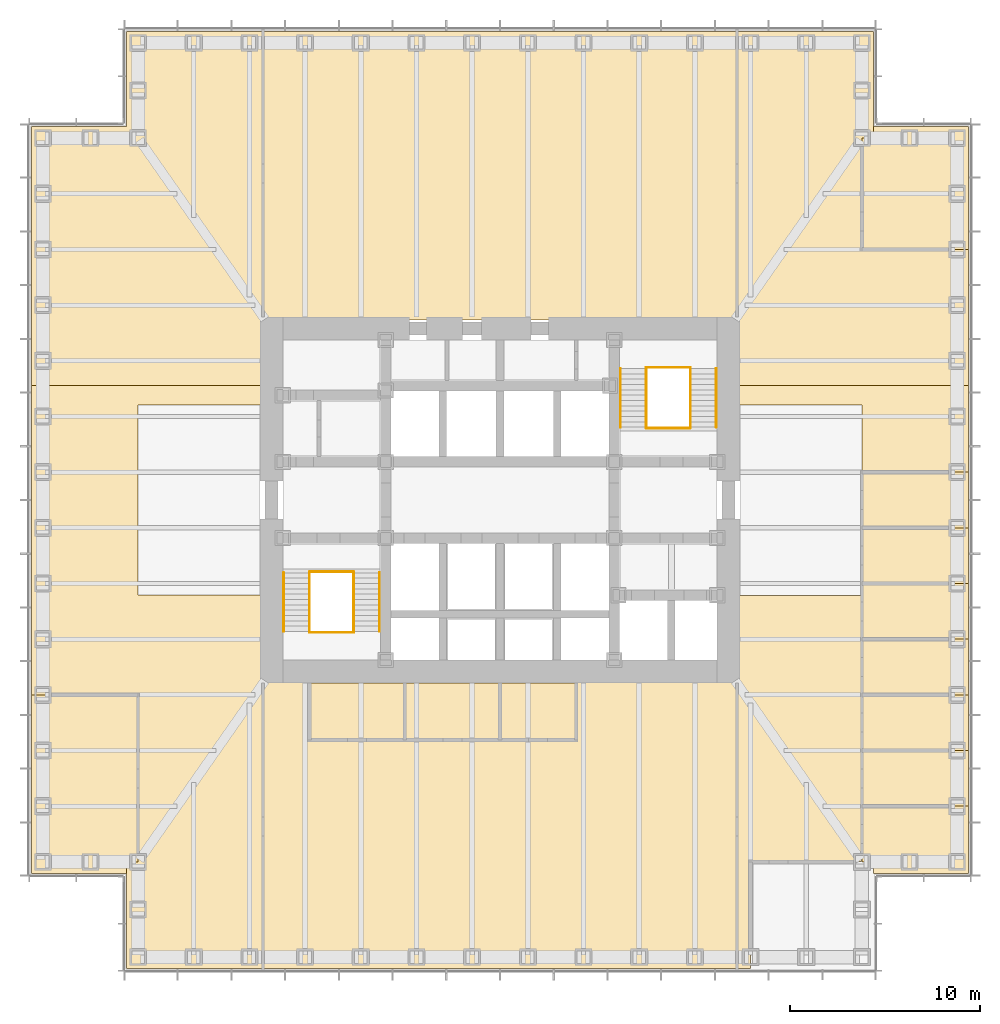
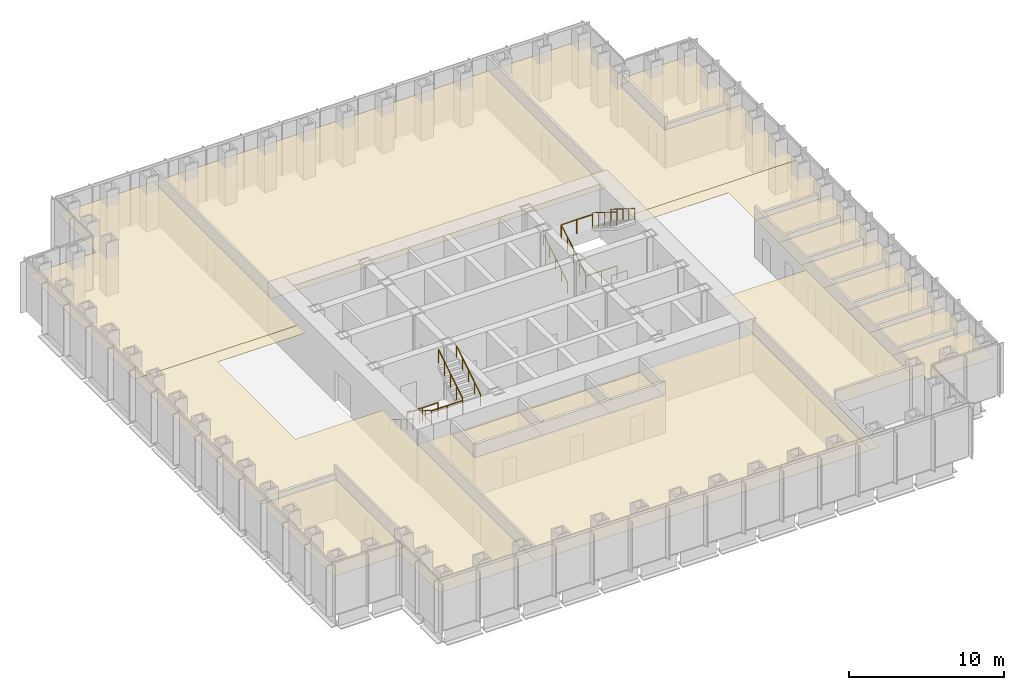
# One storey, part 16 of 16: 19 coverings, 12 railings.
"""IFC4 building model written with IfcOpenShell, lengths in metres."""

from ifc_helpers import new_model, si_unit, direction, frame, origin, origin_2d, place, context, subcontext, project, spatial, polyline, circle, outline, extrude, material, layer, layer_set, type_object, element, save


model = new_model("IFC4")

# Units and contexts
model_context = context("Model", 3, precision=1e-05, world=origin(), true_north=direction((0.0, 1.0)))
body_context = subcontext(model_context, "Body", "Model", "MODEL_VIEW")
ifc_project = project(units=[si_unit("LENGTHUNIT", "METRE"), si_unit("AREAUNIT", "SQUARE_METRE"), si_unit("VOLUMEUNIT", "CUBIC_METRE"), si_unit("PLANEANGLEUNIT", "RADIAN"), si_unit("MASSUNIT", "GRAM", prefix="KILO")], contexts=[model_context])

# Site, building, storey
site_placement = place(None, origin())
site = spatial("IfcSite", under=ifc_project, at=site_placement, CompositionType="ELEMENT")
building_placement = place(site_placement, origin())
building = spatial("IfcBuilding", under=site, at=building_placement, Name="Daluyong Arena Tower", CompositionType="ELEMENT")
storey_placement = place(building_placement, frame((0.0, 0.0, 76.89990234375)))
storey = spatial("IfcBuildingStorey", under=building, at=storey_placement, Name="L16", CompositionType="ELEMENT", Elevation=76.89990234375)

# Coverings
ifc_material_1 = material(Name="Mineral fibre ceiling tile", Category="gypsum board")
ifc_layer = layer(ifc_material_1, 0.02001953125)
ifc_layer_set = layer_set([ifc_layer], Name="Mineral fibre ceiling tile")
covering_type = type_object("IfcCoveringType", Name="Office ceiling", PredefinedType="CEILING", material=ifc_layer_set)
covering_1_placement = place(storey_placement, frame((0.0, 0.0, 2.900146484375)))
element("IfcCovering", 1, at=covering_1_placement, inside=storey, type_object=covering_type, Name="ceiling L16-02", PredefinedType="CEILING", context=body_context, shape_type="SweptSolid", body=[
    extrude(outline(polyline([(75.60009765625, 60.39990234375), (80.60009765625, 60.39990234375), (80.60009765625, 63.923095703125), (75.0, 63.923095703125), (75.0, 61.0), (75.60009765625, 61.0), (75.60009765625, 60.39990234375)])), origin(), (0.0, 0.0, 1.0), 0.02001953125),
])
covering_2_placement = place(storey_placement, frame((0.0, 0.0, 2.900146484375)))
element("IfcCovering", 2, at=covering_2_placement, inside=storey, type_object=covering_type, Name="ceiling L16-03", PredefinedType="CEILING", context=body_context, shape_type="SweptSolid", body=[
    extrude(outline(polyline([(75.0, 63.923095703125), (80.60009765625, 63.923095703125), (80.60009765625, 66.84619140625), (75.0, 66.84619140625), (75.0, 63.923095703125)])), origin(), (0.0, 0.0, 1.0), 0.02001953125),
])
covering_3_placement = place(storey_placement, frame((0.0, 0.0, 2.900146484375)))
element("IfcCovering", 3, at=covering_3_placement, inside=storey, type_object=covering_type, Name="ceiling L16-04", PredefinedType="CEILING", context=body_context, shape_type="SweptSolid", body=[
    extrude(outline(polyline([(75.0, 66.84619140625), (80.60009765625, 66.84619140625), (80.60009765625, 69.769287109375), (75.0, 69.769287109375), (75.0, 66.84619140625)])), origin(), (0.0, 0.0, 1.0), 0.02001953125),
])
covering_4_placement = place(storey_placement, frame((0.0, 0.0, 2.900146484375)))
element("IfcCovering", 4, at=covering_4_placement, inside=storey, type_object=covering_type, Name="ceiling L16-05", PredefinedType="CEILING", context=body_context, shape_type="SweptSolid", body=[
    extrude(outline(polyline([(75.0, 69.769287109375), (80.60009765625, 69.769287109375), (80.60009765625, 72.6923828125), (75.0, 72.6923828125), (75.0, 69.769287109375)])), origin(), (0.0, 0.0, 1.0), 0.02001953125),
])
covering_5_placement = place(storey_placement, frame((0.0, 0.0, 2.900146484375)))
element("IfcCovering", 5, at=covering_5_placement, inside=storey, type_object=covering_type, Name="ceiling L16-06", PredefinedType="CEILING", context=body_context, shape_type="SweptSolid", body=[
    extrude(outline(polyline([(75.0, 72.6923828125), (80.60009765625, 72.6923828125), (80.60009765625, 75.615478515625), (75.0, 75.615478515625), (75.0, 72.6923828125)])), origin(), (0.0, 0.0, 1.0), 0.02001953125),
])
covering_6_placement = place(storey_placement, frame((0.0, 0.0, 2.900146484375)))
element("IfcCovering", 6, at=covering_6_placement, inside=storey, type_object=covering_type, Name="ceiling L16-07", PredefinedType="CEILING", context=body_context, shape_type="SweptSolid", body=[
    extrude(outline(polyline([(75.0, 75.615478515625), (80.60009765625, 75.615478515625), (80.60009765625, 78.53857421875), (75.0, 78.53857421875), (75.0, 75.615478515625)])), origin(), (0.0, 0.0, 1.0), 0.02001953125),
])
covering_7_placement = place(storey_placement, frame((0.0, 0.0, 2.900146484375)))
element("IfcCovering", 7, at=covering_7_placement, inside=storey, type_object=covering_type, Name="ceiling L16-08", PredefinedType="CEILING", context=body_context, shape_type="SweptSolid", body=[
    extrude(outline(polyline([(75.0, 78.53857421875), (80.60009765625, 78.53857421875), (80.60009765625, 81.46142578125), (75.0, 81.46142578125), (75.0, 78.53857421875)])), origin(), (0.0, 0.0, 1.0), 0.02001953125),
])
covering_8_placement = place(storey_placement, frame((0.0, 0.0, 2.900146484375)))
element("IfcCovering", 8, at=covering_8_placement, inside=storey, type_object=covering_type, Name="ceiling L16-09", PredefinedType="CEILING", context=body_context, shape_type="SweptSolid", body=[
    extrude(outline(polyline([(75.0, 93.15380859375), (80.60009765625, 93.15380859375), (80.60009765625, 99.60009765625), (75.60009765625, 99.60009765625), (75.60009765625, 99.0), (75.0, 99.0), (75.0, 93.15380859375)])), origin(), (0.0, 0.0, 1.0), 0.02001953125),
])
covering_9_placement = place(storey_placement, frame((0.0, 0.0, 2.900146484375)))
element("IfcCovering", 9, at=covering_9_placement, inside=storey, type_object=covering_type, Name="ceiling L16-10", PredefinedType="CEILING", context=body_context, shape_type="SweptSolid", body=[
    extrude(outline(polyline([(31.39990234375, 60.39990234375), (36.39990234375, 60.39990234375), (36.39990234375, 61.0), (37.0, 61.0), (37.0, 69.769287109375), (31.39990234375, 69.769287109375), (31.39990234375, 60.39990234375)])), origin(), (0.0, 0.0, 1.0), 0.02001953125),
])
covering_10_placement = place(storey_placement, frame((0.0, 0.0, 2.900146484375)))
element("IfcCovering", 10, at=covering_10_placement, inside=storey, type_object=covering_type, Name="ceiling L16-11", PredefinedType="CEILING", context=body_context, shape_type="SweptSolid", body=[
    extrude(outline(polyline([(46.0, 67.39990234375), (51.0, 67.39990234375), (51.0, 70.39990234375), (46.0, 70.39990234375), (46.0, 67.39990234375)])), origin(), (0.0, 0.0, 1.0), 0.02001953125),
])
covering_11_placement = place(storey_placement, frame((0.0, 0.0, 2.900146484375)))
element("IfcCovering", 11, at=covering_11_placement, inside=storey, type_object=covering_type, Name="ceiling L16-12", PredefinedType="CEILING", context=body_context, shape_type="SweptSolid", body=[
    extrude(outline(polyline([(51.0, 67.39990234375), (56.0, 67.39990234375), (56.0, 70.39990234375), (51.0, 70.39990234375), (51.0, 67.39990234375)])), origin(), (0.0, 0.0, 1.0), 0.02001953125),
])
covering_12_placement = place(storey_placement, frame((0.0, 0.0, 2.900146484375)))
element("IfcCovering", 12, at=covering_12_placement, inside=storey, type_object=covering_type, Name="ceiling L16-13", PredefinedType="CEILING", context=body_context, shape_type="SweptSolid", body=[
    extrude(outline(polyline([(56.0, 67.39990234375), (60.0, 67.39990234375), (60.0, 70.39990234375), (56.0, 70.39990234375), (56.0, 67.39990234375)])), origin(), (0.0, 0.0, 1.0), 0.02001953125),
])
covering_13_placement = place(storey_placement, frame((0.0, 0.0, 2.900146484375)))
element("IfcCovering", 13, at=covering_13_placement, inside=storey, type_object=covering_type, Name="ceiling L16-16", PredefinedType="CEILING", context=body_context, shape_type="SweptSolid", body=[
    extrude(outline(polyline([(68.449951171875, 70.550048828125), (43.550048828125, 70.550048828125), (43.550048828125, 55.39990234375), (68.449951171875, 55.39990234375), (68.449951171875, 70.550048828125)]), holes=[polyline([(60.0, 70.39990234375), (60.0, 67.39990234375), (46.0, 67.39990234375), (46.0, 70.39990234375), (60.0, 70.39990234375)])]), origin(), (0.0, 0.0, 1.0), 0.02001953125),
])
covering_14_placement = place(storey_placement, frame((0.0, 0.0, 2.900146484375)))
element("IfcCovering", 14, at=covering_14_placement, inside=storey, type_object=covering_type, Name="ceiling L16-17", PredefinedType="CEILING", context=body_context, shape_type="SweptSolid", body=[
    extrude(outline(polyline([(68.449951171875, 104.60009765625), (43.550048828125, 104.60009765625), (43.550048828125, 89.449951171875), (68.449951171875, 89.449951171875), (68.449951171875, 104.60009765625)])), origin(), (0.0, 0.0, 1.0), 0.02001953125),
])
covering_15_placement = place(storey_placement, frame((0.0, 0.0, 2.900146484375)))
element("IfcCovering", 15, at=covering_15_placement, inside=storey, type_object=covering_type, Name="ceiling L16-18", PredefinedType="CEILING", context=body_context, shape_type="SweptSolid", body=[
    extrude(outline(polyline([(43.550048828125, 85.0), (43.550048828125, 86.0), (31.39990234375, 86.0), (31.39990234375, 69.769287109375), (37.0, 69.769287109375), (37.0, 61.0), (36.39990234375, 61.0), (36.39990234375, 55.39990234375), (43.550048828125, 55.39990234375), (43.550048828125, 75.0), (37.0, 75.0), (37.0, 85.0), (43.550048828125, 85.0)])), origin(), (0.0, 0.0, 1.0), 0.02001953125),
])
covering_16_placement = place(storey_placement, frame((0.0, 0.0, 2.900146484375)))
element("IfcCovering", 16, at=covering_16_placement, inside=storey, type_object=covering_type, Name="ceiling L16-19", PredefinedType="CEILING", context=body_context, shape_type="SweptSolid", body=[
    extrude(outline(polyline([(43.550048828125, 104.60009765625), (36.39990234375, 104.60009765625), (36.39990234375, 99.60009765625), (31.39990234375, 99.60009765625), (31.39990234375, 86.0), (43.550048828125, 86.0), (43.550048828125, 104.60009765625)])), origin(), (0.0, 0.0, 1.0), 0.02001953125),
])
covering_17_placement = place(storey_placement, frame((0.0, 0.0, 2.900146484375)))
element("IfcCovering", 17, at=covering_17_placement, inside=storey, type_object=covering_type, Name="ceiling L16-20", PredefinedType="CEILING", context=body_context, shape_type="SweptSolid", body=[
    extrude(outline(polyline([(80.60009765625, 81.46142578125), (80.60009765625, 86.0), (68.449951171875, 86.0), (68.449951171875, 85.0), (75.0, 85.0), (75.0, 81.46142578125), (80.60009765625, 81.46142578125)])), origin(), (0.0, 0.0, 1.0), 0.02001953125),
])
covering_18_placement = place(storey_placement, frame((0.0, 0.0, 2.900146484375)))
element("IfcCovering", 18, at=covering_18_placement, inside=storey, type_object=covering_type, Name="ceiling L16-21", PredefinedType="CEILING", context=body_context, shape_type="SweptSolid", body=[
    extrude(outline(polyline([(74.989990234375, 61.010009765625), (74.989990234375, 74.989990234375), (68.4599609375, 74.989990234375), (68.4599609375, 55.409912109375), (69.143798828125, 55.409912109375), (69.143798828125, 61.010009765625), (74.989990234375, 61.010009765625)])), origin(), (0.0, 0.0, 1.0), 0.02001953125),
])
covering_19_placement = place(storey_placement, frame((0.0, 0.0, 2.900146484375)))
element("IfcCovering", 19, at=covering_19_placement, inside=storey, type_object=covering_type, Name="ceiling L16-22", PredefinedType="CEILING", context=body_context, shape_type="SweptSolid", body=[
    extrude(outline(polyline([(75.60009765625, 104.60009765625), (68.449951171875, 104.60009765625), (68.449951171875, 86.0), (80.60009765625, 86.0), (80.60009765625, 93.15380859375), (75.0, 93.15380859375), (75.0, 99.0), (75.60009765625, 99.0), (75.60009765625, 104.60009765625)])), origin(), (0.0, 0.0, 1.0), 0.02001953125),
])

# Railings
ifc_material_2 = material(Name="Stainless steel handrail", Category="steel")
railing_type_1 = type_object("IfcRailingType", Name="Stair handrail", PredefinedType="HANDRAIL", material=ifc_material_2)
railing_1_placement = place(storey_placement, frame((44.64990234375, 76.175048828125, 0.175048828125)))
element("IfcRailing", 20, at=railing_1_placement, inside=storey, type_object=railing_type_1, Name="exit stair A handrail L16", PredefinedType="HANDRAIL", context=body_context, shape_type="SweptSolid", body=[
    extrude(circle(Radius=0.02392578125, at=origin_2d()), frame((0.0, 0.0, 0.8759765625), z_axis=(0.0, -0.847998304005, 0.529998940003), x_axis=(1.0, 0.0, 0.0)), (0.0, 0.0, 1.0), 3.632080078125),
    extrude(circle(Radius=0.02099609375, at=origin_2d()), origin(), (0.0, 0.0, 1.0), 0.851806640625),
    extrude(circle(Radius=0.02099609375, at=origin_2d()), frame((0.0, -0.77001953125, 0.481201171875)), (0.0, 0.0, 1.0), 0.851806640625),
    extrude(circle(Radius=0.02099609375, at=origin_2d()), frame((0.0, -1.5400390625, 0.96240234375)), (0.0, 0.0, 1.0), 0.851806640625),
    extrude(circle(Radius=0.02099609375, at=origin_2d()), frame((0.0, -2.31005859375, 1.44384765625)), (0.0, 0.0, 1.0), 0.851806640625),
    extrude(circle(Radius=0.02099609375, at=origin_2d()), frame((0.0, -3.080078125, 1.925048828125)), (0.0, 0.0, 1.0), 0.851806640625),
])
for number, where, name in (
    (21, (49.675048828125, 73.094970703125, 2.275146484375), "exit stair A handrail L16"),
    (22, (62.324951171875, 83.824951171875, 0.175048828125), "exit stair B handrail L16"),
):
    element("IfcRailing", number, at=place(storey_placement, frame(where)), inside=storey, type_object=railing_type_1, Name=name, PredefinedType="HANDRAIL", context=body_context, shape_type="SweptSolid", body=[
        extrude(circle(Radius=0.02392578125, at=origin_2d()), frame((0.0, 0.0, 0.8759765625), z_axis=(0.0, 0.847998304005, 0.529998940003), x_axis=(-1.0, 0.0, 0.0)), (0.0, 0.0, 1.0), 3.632080078125),
        extrude(circle(Radius=0.02099609375, at=origin_2d()), origin(), (0.0, 0.0, 1.0), 0.851806640625),
        extrude(circle(Radius=0.02099609375, at=origin_2d()), frame((0.0, 0.77001953125, 0.481201171875)), (0.0, 0.0, 1.0), 0.851806640625),
        extrude(circle(Radius=0.02099609375, at=origin_2d()), frame((0.0, 1.5400390625, 0.96240234375)), (0.0, 0.0, 1.0), 0.851806640625),
        extrude(circle(Radius=0.02099609375, at=origin_2d()), frame((0.0, 2.31005859375, 1.44384765625)), (0.0, 0.0, 1.0), 0.851806640625),
        extrude(circle(Radius=0.02099609375, at=origin_2d()), frame((0.0, 3.080078125, 1.925048828125)), (0.0, 0.0, 1.0), 0.851806640625),
    ])
railing_2_placement = place(storey_placement, frame((67.35009765625, 86.905029296875, 2.275146484375)))
element("IfcRailing", 23, at=railing_2_placement, inside=storey, type_object=railing_type_1, Name="exit stair B handrail L16", PredefinedType="HANDRAIL", context=body_context, shape_type="SweptSolid", body=[
    extrude(circle(Radius=0.02392578125, at=origin_2d()), frame((0.0, 0.0, 0.8759765625), z_axis=(0.0, -0.847998304005, 0.529998940003), x_axis=(1.0, 0.0, 0.0)), (0.0, 0.0, 1.0), 3.632080078125),
    extrude(circle(Radius=0.02099609375, at=origin_2d()), origin(), (0.0, 0.0, 1.0), 0.851806640625),
    extrude(circle(Radius=0.02099609375, at=origin_2d()), frame((0.0, -0.77001953125, 0.481201171875)), (0.0, 0.0, 1.0), 0.851806640625),
    extrude(circle(Radius=0.02099609375, at=origin_2d()), frame((0.0, -1.5400390625, 0.96240234375)), (0.0, 0.0, 1.0), 0.851806640625),
    extrude(circle(Radius=0.02099609375, at=origin_2d()), frame((0.0, -2.31005859375, 1.44384765625)), (0.0, 0.0, 1.0), 0.851806640625),
    extrude(circle(Radius=0.02099609375, at=origin_2d()), frame((0.0, -3.080078125, 1.925048828125)), (0.0, 0.0, 1.0), 0.851806640625),
])
ifc_material_3 = material(Name="Steel balustrade", Category="steel")
railing_type_2 = type_object("IfcRailingType", Name="Stair well guard 1100", PredefinedType="GUARDRAIL", material=ifc_material_3)
railing_3_placement = place(storey_placement, frame((46.0, 76.175048828125, 0.175048828125)))
element("IfcRailing", 24, at=railing_3_placement, inside=storey, type_object=railing_type_2, Name="exit stair A well guard L16", PredefinedType="GUARDRAIL", context=body_context, shape_type="SweptSolid", body=[
    extrude(circle(Radius=0.02392578125, at=origin_2d()), frame((0.0, 0.0, 1.076171875), z_axis=(0.0, -0.847998304005, 0.529998940003), x_axis=(1.0, 0.0, 0.0)), (0.0, 0.0, 1.0), 3.632080078125),
    extrude(circle(Radius=0.02099609375, at=origin_2d()), origin(), (0.0, 0.0, 1.0), 1.052001953125),
    extrude(circle(Radius=0.02099609375, at=origin_2d()), frame((0.0, -0.77001953125, 0.481201171875)), (0.0, 0.0, 1.0), 1.052001953125),
    extrude(circle(Radius=0.02099609375, at=origin_2d()), frame((0.0, -1.5400390625, 0.96240234375)), (0.0, 0.0, 1.0), 1.052001953125),
    extrude(circle(Radius=0.02099609375, at=origin_2d()), frame((0.0, -2.31005859375, 1.44384765625)), (0.0, 0.0, 1.0), 1.052001953125),
    extrude(circle(Radius=0.02099609375, at=origin_2d()), frame((0.0, -3.080078125, 1.925048828125)), (0.0, 0.0, 1.0), 1.052001953125),
])
railing_4_placement = place(storey_placement, frame((48.324951171875, 73.094970703125, 2.275146484375)))
element("IfcRailing", 25, at=railing_4_placement, inside=storey, type_object=railing_type_2, Name="exit stair A well guard L16", PredefinedType="GUARDRAIL", context=body_context, shape_type="SweptSolid", body=[
    extrude(circle(Radius=0.02392578125, at=origin_2d()), frame((0.0, 0.0, 1.076171875), z_axis=(0.0, 0.847998304005, 0.529998940003), x_axis=(-1.0, 0.0, 0.0)), (0.0, 0.0, 1.0), 3.632080078125),
    extrude(circle(Radius=0.02099609375, at=origin_2d()), origin(), (0.0, 0.0, 1.0), 1.052001953125),
    extrude(circle(Radius=0.02099609375, at=origin_2d()), frame((0.0, 0.77001953125, 0.481201171875)), (0.0, 0.0, 1.0), 1.052001953125),
    extrude(circle(Radius=0.02099609375, at=origin_2d()), frame((0.0, 1.5400390625, 0.96240234375)), (0.0, 0.0, 1.0), 1.052001953125),
    extrude(circle(Radius=0.02099609375, at=origin_2d()), frame((0.0, 2.31005859375, 1.44384765625)), (0.0, 0.0, 1.0), 1.052001953125),
    extrude(circle(Radius=0.02099609375, at=origin_2d()), frame((0.0, 3.080078125, 1.925048828125)), (0.0, 0.0, 1.0), 1.052001953125),
])
for number, where, name in (
    (26, (46.0, 73.044921875, 2.10009765625), "exit stair A landing guard L16"),
    (27, (46.0, 76.22509765625, 0.0), "exit stair A floor landing guard L16"),
):
    element("IfcRailing", number, at=place(storey_placement, frame(where)), inside=storey, type_object=railing_type_2, Name=name, PredefinedType="GUARDRAIL", context=body_context, shape_type="SweptSolid", body=[
        extrude(circle(Radius=0.02392578125, at=origin_2d()), frame((0.0, 0.0, 1.076171875), z_axis=(1.0, 0.0, 0.0), x_axis=(0.0, 1.0, 0.0)), (0.0, 0.0, 1.0), 2.324951171875),
        extrude(circle(Radius=0.02099609375, at=origin_2d()), origin(), (0.0, 0.0, 1.0), 1.052001953125),
        extrude(circle(Radius=0.02099609375, at=origin_2d()), frame((1.16259765625, 0.0, 0.0)), (0.0, 0.0, 1.0), 1.052001953125),
        extrude(circle(Radius=0.02099609375, at=origin_2d()), frame((2.324951171875, 0.0, 0.0)), (0.0, 0.0, 1.0), 1.052001953125),
    ])
railing_5_placement = place(storey_placement, frame((63.675048828125, 83.824951171875, 0.175048828125)))
element("IfcRailing", 28, at=railing_5_placement, inside=storey, type_object=railing_type_2, Name="exit stair B well guard L16", PredefinedType="GUARDRAIL", context=body_context, shape_type="SweptSolid", body=[
    extrude(circle(Radius=0.02392578125, at=origin_2d()), frame((0.0, 0.0, 1.076171875), z_axis=(0.0, 0.847998304005, 0.529998940003), x_axis=(-1.0, 0.0, 0.0)), (0.0, 0.0, 1.0), 3.632080078125),
    extrude(circle(Radius=0.02099609375, at=origin_2d()), origin(), (0.0, 0.0, 1.0), 1.052001953125),
    extrude(circle(Radius=0.02099609375, at=origin_2d()), frame((0.0, 0.77001953125, 0.481201171875)), (0.0, 0.0, 1.0), 1.052001953125),
    extrude(circle(Radius=0.02099609375, at=origin_2d()), frame((0.0, 1.5400390625, 0.96240234375)), (0.0, 0.0, 1.0), 1.052001953125),
    extrude(circle(Radius=0.02099609375, at=origin_2d()), frame((0.0, 2.31005859375, 1.44384765625)), (0.0, 0.0, 1.0), 1.052001953125),
    extrude(circle(Radius=0.02099609375, at=origin_2d()), frame((0.0, 3.080078125, 1.925048828125)), (0.0, 0.0, 1.0), 1.052001953125),
])
railing_6_placement = place(storey_placement, frame((66.0, 86.905029296875, 2.275146484375)))
element("IfcRailing", 29, at=railing_6_placement, inside=storey, type_object=railing_type_2, Name="exit stair B well guard L16", PredefinedType="GUARDRAIL", context=body_context, shape_type="SweptSolid", body=[
    extrude(circle(Radius=0.02392578125, at=origin_2d()), frame((0.0, 0.0, 1.076171875), z_axis=(0.0, -0.847998304005, 0.529998940003), x_axis=(1.0, 0.0, 0.0)), (0.0, 0.0, 1.0), 3.632080078125),
    extrude(circle(Radius=0.02099609375, at=origin_2d()), origin(), (0.0, 0.0, 1.0), 1.052001953125),
    extrude(circle(Radius=0.02099609375, at=origin_2d()), frame((0.0, -0.77001953125, 0.481201171875)), (0.0, 0.0, 1.0), 1.052001953125),
    extrude(circle(Radius=0.02099609375, at=origin_2d()), frame((0.0, -1.5400390625, 0.96240234375)), (0.0, 0.0, 1.0), 1.052001953125),
    extrude(circle(Radius=0.02099609375, at=origin_2d()), frame((0.0, -2.31005859375, 1.44384765625)), (0.0, 0.0, 1.0), 1.052001953125),
    extrude(circle(Radius=0.02099609375, at=origin_2d()), frame((0.0, -3.080078125, 1.925048828125)), (0.0, 0.0, 1.0), 1.052001953125),
])
for number, where, name in (
    (30, (63.675048828125, 86.955078125, 2.10009765625), "exit stair B landing guard L16"),
    (31, (63.675048828125, 83.77490234375, 0.0), "exit stair B floor landing guard L16"),
):
    element("IfcRailing", number, at=place(storey_placement, frame(where)), inside=storey, type_object=railing_type_2, Name=name, PredefinedType="GUARDRAIL", context=body_context, shape_type="SweptSolid", body=[
        extrude(circle(Radius=0.02392578125, at=origin_2d()), frame((0.0, 0.0, 1.076171875), z_axis=(1.0, 0.0, 0.0), x_axis=(0.0, 1.0, 0.0)), (0.0, 0.0, 1.0), 2.324951171875),
        extrude(circle(Radius=0.02099609375, at=origin_2d()), origin(), (0.0, 0.0, 1.0), 1.052001953125),
        extrude(circle(Radius=0.02099609375, at=origin_2d()), frame((1.16259765625, 0.0, 0.0)), (0.0, 0.0, 1.0), 1.052001953125),
        extrude(circle(Radius=0.02099609375, at=origin_2d()), frame((2.324951171875, 0.0, 0.0)), (0.0, 0.0, 1.0), 1.052001953125),
    ])

save(model, "model.ifc")
